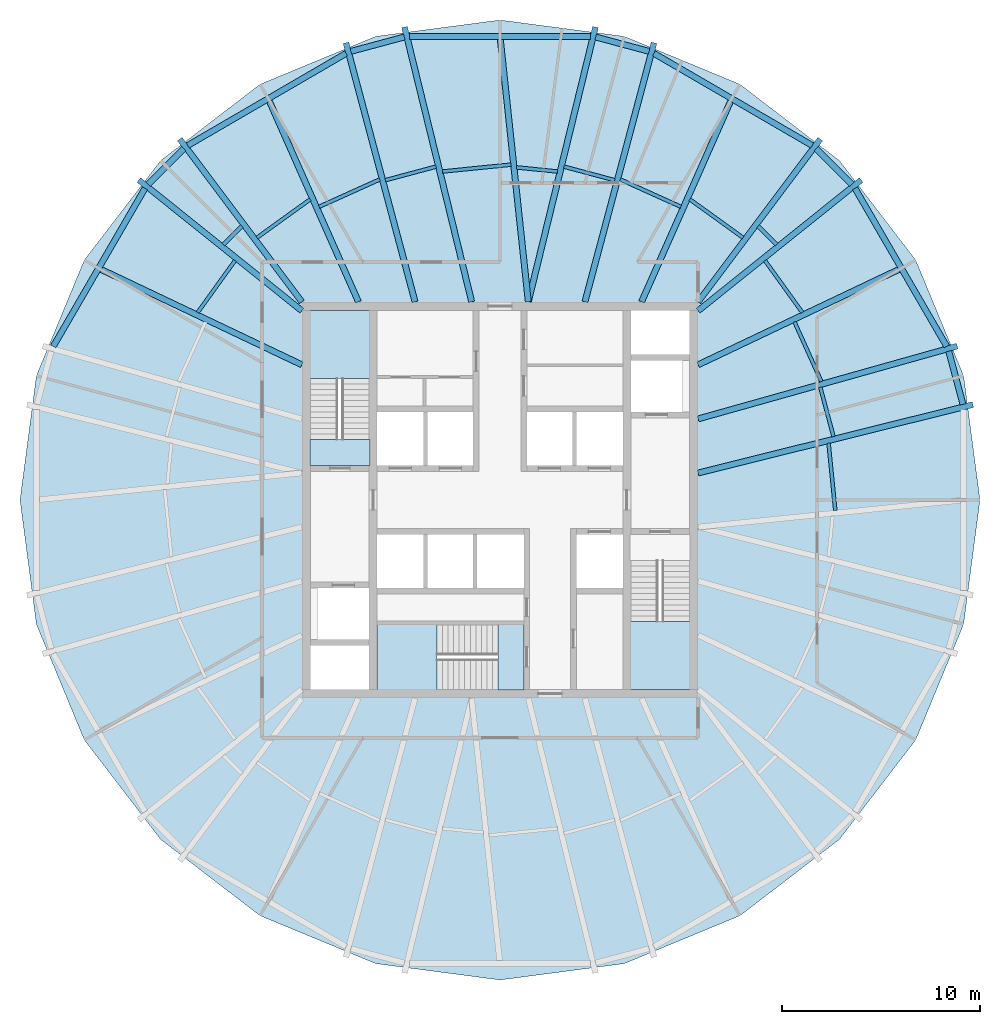
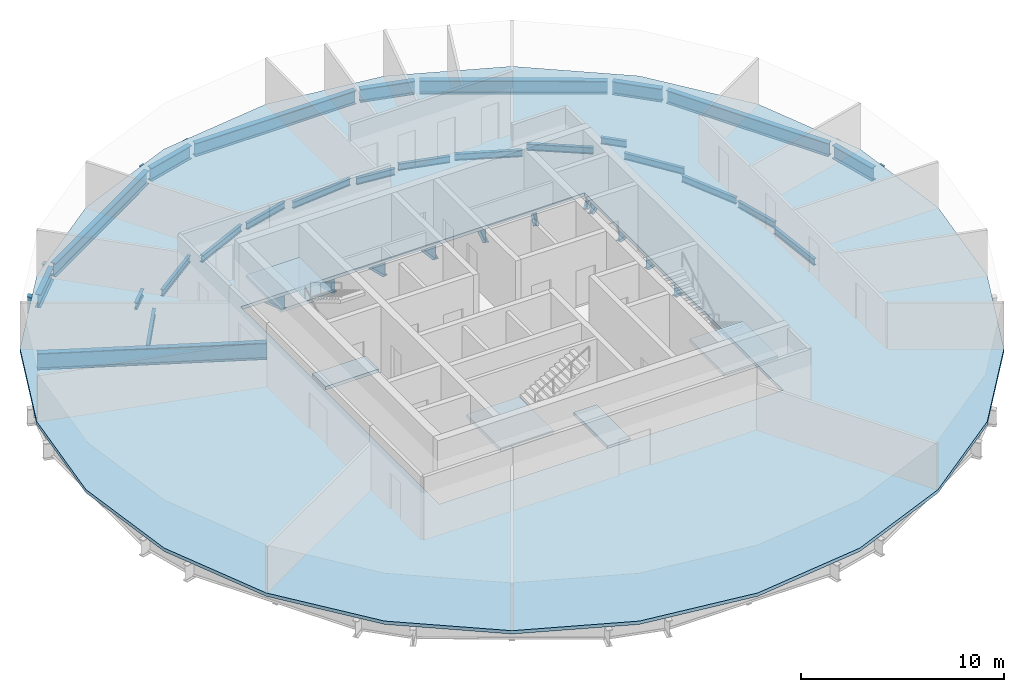
# One storey, part 2 of 6: 40 beams, 6 slabs, 3 elements without a shape of their own.
"""IFC4 building model written with IfcOpenShell, lengths in metres."""

from ifc_helpers import new_model, si_unit, direction, frame, origin, origin_2d, place, context, subcontext, project, spatial, polyline, i_section, outline, extrude, material, layer, layer_set, material_profile, profile_set, type_object, element, aggregate, save


model = new_model("IFC4")

# Units and contexts
model_context = context("Model", 3, precision=1e-05, world=origin(), true_north=direction((0.0, 1.0)))
body_context = subcontext(model_context, "Body", "Model", "MODEL_VIEW")
ifc_project = project(units=[si_unit("LENGTHUNIT", "METRE"), si_unit("AREAUNIT", "SQUARE_METRE"), si_unit("VOLUMEUNIT", "CUBIC_METRE"), si_unit("PLANEANGLEUNIT", "RADIAN"), si_unit("MASSUNIT", "GRAM", prefix="KILO")], contexts=[model_context])

# Site, building, storey
site_placement = place(None, origin())
site = spatial("IfcSite", under=ifc_project, at=site_placement, CompositionType="ELEMENT")
building_placement = place(site_placement, origin())
building = spatial("IfcBuilding", under=site, at=building_placement, Name="Golbaran Civic Tower", CompositionType="ELEMENT")
storey_placement = place(building_placement, frame((0.0, 0.0, 163.0)))
storey = spatial("IfcBuildingStorey", under=building, at=storey_placement, Name="L39", CompositionType="ELEMENT", Elevation=163.0)

# Beams
ifc_material_1 = material(Name="Steel S355", Category="steel")
ifc_material_profile_1 = material_profile(ifc_material_1, i_section(OverallWidth=0.300048828125, OverallDepth=0.800048828125, WebThickness=0.017578125, FlangeThickness=0.032958984375, FilletRadius=0.030029296875, at=origin_2d()), Name="HEB 800")
ifc_profile_set_1 = profile_set([ifc_material_profile_1], Name="Steel S355")
beam_type_1 = type_object("IfcBeamType", Name="EDGE BEAM HEB 800", PredefinedType="BEAM", material=ifc_profile_set_1)
beam_1_placement = place(storey_placement, frame((23.36328125, 4.823974609375, -0.60009765625), z_axis=(-0.258902839264, 0.965903369815, 0.0), x_axis=(-0.965903369815, -0.258902839264, 0.0)))
element("IfcBeam", 1, at=beam_1_placement, inside=storey, type_object=beam_type_1, Name="Edge beam 11.47 L39", PredefinedType="BEAM", context=body_context, shape_type="SweptSolid", body=[
    extrude(i_section(OverallWidth=0.300048828125, OverallDepth=0.800048828125, WebThickness=0.017578125, FlangeThickness=0.032958984375, FilletRadius=0.030029296875, at=origin_2d()), origin(), (0.0, 0.0, 1.0), 2.78076171875),
])
beam_2_placement = place(storey_placement, frame((22.542236328125, 7.751708984375, -0.60009765625), z_axis=(-0.501920919178, 0.864913516423, 0.0), x_axis=(-0.864913516423, -0.501920919178, 0.0)))
element("IfcBeam", 2, at=beam_2_placement, inside=storey, type_object=beam_type_1, Name="Edge beam 18.53 L39", PredefinedType="BEAM", context=body_context, shape_type="SweptSolid", body=[
    extrude(i_section(OverallWidth=0.300048828125, OverallDepth=0.800048828125, WebThickness=0.017578125, FlangeThickness=0.032958984375, FilletRadius=0.030029296875, at=origin_2d()), origin(), (0.0, 0.0, 1.0), 9.222412109375),
])
beam_3_placement = place(storey_placement, frame((17.7548828125, 15.9345703125, -0.60009765625), z_axis=(-0.706625789053, 0.70758744636, 0.0), x_axis=(-0.70758744636, -0.706625789053, 0.0)))
element("IfcBeam", 3, at=beam_3_placement, inside=storey, type_object=beam_type_1, Name="Edge beam 41.47 L39", PredefinedType="BEAM", context=body_context, shape_type="SweptSolid", body=[
    extrude(i_section(OverallWidth=0.300048828125, OverallDepth=0.800048828125, WebThickness=0.017578125, FlangeThickness=0.032958984375, FilletRadius=0.030029296875, at=origin_2d()), origin(), (0.0, 0.0, 1.0), 2.538818359375),
])
beam_4_placement = place(storey_placement, frame((15.755126953125, 17.889892578125, -0.60009765625), z_axis=(-0.864394259944, 0.50281464117, 0.0), x_axis=(-0.50281464117, -0.864394259944, 0.0)))
element("IfcBeam", 4, at=beam_4_placement, inside=storey, type_object=beam_type_1, Name="Edge beam 48.53 L39", PredefinedType="BEAM", context=body_context, shape_type="SweptSolid", body=[
    extrude(i_section(OverallWidth=0.300048828125, OverallDepth=0.800048828125, WebThickness=0.017578125, FlangeThickness=0.032958984375, FilletRadius=0.030029296875, at=origin_2d()), origin(), (0.0, 0.0, 1.0), 9.242919921875),
])
beam_5_placement = place(storey_placement, frame((7.5234375, 22.638671875, -0.60009765625), z_axis=(-0.965792082817, 0.259317667675, 0.0), x_axis=(-0.259317667675, -0.965792082817, 0.0)))
element("IfcBeam", 5, at=beam_5_placement, inside=storey, type_object=beam_type_1, Name="Edge beam 71.47 L39", PredefinedType="BEAM", context=body_context, shape_type="SweptSolid", body=[
    extrude(i_section(OverallWidth=0.300048828125, OverallDepth=0.800048828125, WebThickness=0.017578125, FlangeThickness=0.032958984375, FilletRadius=0.030029296875, at=origin_2d()), origin(), (0.0, 0.0, 1.0), 2.79052734375),
])
beam_6_placement = place(storey_placement, frame((4.569091796875, 23.39599609375, -0.60009765625), z_axis=(-1.0, 0.0, 0.0), x_axis=(0.0, -1.0, 0.0)))
element("IfcBeam", 6, at=beam_6_placement, inside=storey, type_object=beam_type_1, Name="Edge beam 78.53 L39", PredefinedType="BEAM", context=body_context, shape_type="SweptSolid", body=[
    extrude(i_section(OverallWidth=0.300048828125, OverallDepth=0.800048828125, WebThickness=0.017578125, FlangeThickness=0.032958984375, FilletRadius=0.030029296875, at=origin_2d()), origin(), (0.0, 0.0, 1.0), 9.13818359375),
])
beam_7_placement = place(storey_placement, frame((-4.828369140625, 23.3623046875, -0.60009765625), z_axis=(-0.965792082817, -0.259317667675, 0.0), x_axis=(0.259317667675, -0.965792082817, 0.0)))
element("IfcBeam", 7, at=beam_7_placement, inside=storey, type_object=beam_type_1, Name="Edge beam 101.47 L39", PredefinedType="BEAM", context=body_context, shape_type="SweptSolid", body=[
    extrude(i_section(OverallWidth=0.300048828125, OverallDepth=0.800048828125, WebThickness=0.017578125, FlangeThickness=0.032958984375, FilletRadius=0.030029296875, at=origin_2d()), origin(), (0.0, 0.0, 1.0), 2.79052734375),
])
beam_8_placement = place(storey_placement, frame((-7.765625, 22.537353515625, -0.60009765625), z_axis=(-0.864394259944, -0.50281464117, 0.0), x_axis=(0.50281464117, -0.864394259944, 0.0)))
element("IfcBeam", 8, at=beam_8_placement, inside=storey, type_object=beam_type_1, Name="Edge beam 108.53 L39", PredefinedType="BEAM", context=body_context, shape_type="SweptSolid", body=[
    extrude(i_section(OverallWidth=0.300048828125, OverallDepth=0.800048828125, WebThickness=0.017578125, FlangeThickness=0.032958984375, FilletRadius=0.030029296875, at=origin_2d()), origin(), (0.0, 0.0, 1.0), 9.242919921875),
])
beam_9_placement = place(storey_placement, frame((-15.9609375, 17.73095703125, -0.60009765625), z_axis=(-0.706625789053, -0.70758744636, 0.0), x_axis=(0.70758744636, -0.706625789053, 0.0)))
element("IfcBeam", 9, at=beam_9_placement, inside=storey, type_object=beam_type_1, Name="Edge beam 131.47 L39", PredefinedType="BEAM", context=body_context, shape_type="SweptSolid", body=[
    extrude(i_section(OverallWidth=0.300048828125, OverallDepth=0.800048828125, WebThickness=0.017578125, FlangeThickness=0.032958984375, FilletRadius=0.030029296875, at=origin_2d()), origin(), (0.0, 0.0, 1.0), 2.538818359375),
])
beam_10_placement = place(storey_placement, frame((-17.913330078125, 15.728271484375, -0.60009765625), z_axis=(-0.501920919178, -0.864913516423, 0.0), x_axis=(0.864913516423, -0.501920919178, 0.0)))
element("IfcBeam", 10, at=beam_10_placement, inside=storey, type_object=beam_type_1, Name="Edge beam 138.53 L39", PredefinedType="BEAM", context=body_context, shape_type="SweptSolid", body=[
    extrude(i_section(OverallWidth=0.300048828125, OverallDepth=0.800048828125, WebThickness=0.017578125, FlangeThickness=0.032958984375, FilletRadius=0.030029296875, at=origin_2d()), origin(), (0.0, 0.0, 1.0), 9.222412109375),
])
ifc_material_profile_2 = material_profile(ifc_material_1, i_section(OverallWidth=0.179931640625, OverallDepth=0.39990234375, WebThickness=0.008544921875, FlangeThickness=0.013427734375, FilletRadius=0.02099609375, at=origin_2d()), Name="IPE 400")
ifc_profile_set_2 = profile_set([ifc_material_profile_2], Name="Steel S355")
beam_type_2 = type_object("IfcBeamType", Name="FLOOR INFILL BEAM IPE 400", PredefinedType="BEAM", material=ifc_profile_set_2)
beam_11_placement = place(storey_placement, frame((16.919921875, -0.52880859375, -0.39990234375), z_axis=(-0.099914423498, 0.994996034151, 0.0), x_axis=(-0.994996034151, -0.099914423498, 0.0)))
element("IfcBeam", 11, at=beam_11_placement, inside=storey, type_object=beam_type_2, Name="Infill beam 5.73 L39", PredefinedType="BEAM", context=body_context, shape_type="SweptSolid", body=[
    extrude(i_section(OverallWidth=0.179931640625, OverallDepth=0.39990234375, WebThickness=0.008544921875, FlangeThickness=0.013427734375, FilletRadius=0.02099609375, at=origin_2d()), origin(), (0.0, 0.0, 1.0), 3.41357421875),
])
beam_12_placement = place(storey_placement, frame((16.829833984375, 3.197998046875, -0.39990234375), z_axis=(-0.258805482588, 0.965929460252, 0.0), x_axis=(-0.965929460252, -0.258805482588, 0.0)))
element("IfcBeam", 12, at=beam_12_placement, inside=storey, type_object=beam_type_2, Name="Infill beam 15.00 L39", PredefinedType="BEAM", context=body_context, shape_type="SweptSolid", body=[
    extrude(i_section(OverallWidth=0.179931640625, OverallDepth=0.39990234375, WebThickness=0.008544921875, FlangeThickness=0.013427734375, FilletRadius=0.02099609375, at=origin_2d()), origin(), (0.0, 0.0, 1.0), 2.5791015625),
])
beam_13_placement = place(storey_placement, frame((16.21728515625, 5.974609375, -0.39990234375), z_axis=(-0.410939176761, 0.91166276276, 0.0), x_axis=(-0.91166276276, -0.410939176761, 0.0)))
element("IfcBeam", 13, at=beam_13_placement, inside=storey, type_object=beam_type_2, Name="Infill beam 24.27 L39", PredefinedType="BEAM", context=body_context, shape_type="SweptSolid", body=[
    extrude(i_section(OverallWidth=0.179931640625, OverallDepth=0.39990234375, WebThickness=0.008544921875, FlangeThickness=0.013427734375, FilletRadius=0.02099609375, at=origin_2d()), origin(), (0.0, 0.0, 1.0), 3.3037109375),
])
beam_14_placement = place(storey_placement, frame((15.25537109375, 9.462646484375, -0.39990234375), z_axis=(-0.584051815439, 0.811716377119, 0.0), x_axis=(-0.811716377119, -0.584051815439, 0.0)))
element("IfcBeam", 14, at=beam_14_placement, inside=storey, type_object=beam_type_2, Name="Infill beam 35.73 L39", PredefinedType="BEAM", context=body_context, shape_type="SweptSolid", body=[
    extrude(i_section(OverallWidth=0.179931640625, OverallDepth=0.39990234375, WebThickness=0.008544921875, FlangeThickness=0.013427734375, FilletRadius=0.02099609375, at=origin_2d()), origin(), (0.0, 0.0, 1.0), 3.22998046875),
])
beam_15_placement = place(storey_placement, frame((13.95654296875, 12.888916015625, -0.39990234375), z_axis=(-0.707199607806, 0.70701394238, 0.0), x_axis=(-0.70701394238, -0.707199607806, 0.0)))
element("IfcBeam", 15, at=beam_15_placement, inside=storey, type_object=beam_type_2, Name="Infill beam 45.00 L39", PredefinedType="BEAM", context=body_context, shape_type="SweptSolid", body=[
    extrude(i_section(OverallWidth=0.179931640625, OverallDepth=0.39990234375, WebThickness=0.008544921875, FlangeThickness=0.013427734375, FilletRadius=0.02099609375, at=origin_2d()), origin(), (0.0, 0.0, 1.0), 1.31494140625),
])
beam_16_placement = place(storey_placement, frame((12.264892578125, 13.236328125, -0.39990234375), z_axis=(-0.8116994487, 0.58407534187, 0.0), x_axis=(-0.58407534187, -0.8116994487, 0.0)))
element("IfcBeam", 16, at=beam_16_placement, inside=storey, type_object=beam_type_2, Name="Infill beam 54.27 L39", PredefinedType="BEAM", context=body_context, shape_type="SweptSolid", body=[
    extrude(i_section(OverallWidth=0.179931640625, OverallDepth=0.39990234375, WebThickness=0.008544921875, FlangeThickness=0.013427734375, FilletRadius=0.02099609375, at=origin_2d()), origin(), (0.0, 0.0, 1.0), 3.308837890625),
])
beam_17_placement = place(storey_placement, frame((9.12890625, 14.795654296875, -0.39990234375), z_axis=(-0.911639648441, 0.410990451702, 0.0), x_axis=(-0.410990451702, -0.911639648441, 0.0)))
element("IfcBeam", 17, at=beam_17_placement, inside=storey, type_object=beam_type_2, Name="Infill beam 65.73 L39", PredefinedType="BEAM", context=body_context, shape_type="SweptSolid", body=[
    extrude(i_section(OverallWidth=0.179931640625, OverallDepth=0.39990234375, WebThickness=0.008544921875, FlangeThickness=0.013427734375, FilletRadius=0.02099609375, at=origin_2d()), origin(), (0.0, 0.0, 1.0), 3.357421875),
])
beam_18_placement = place(storey_placement, frame((5.788330078125, 16.1357421875, -0.39990234375), z_axis=(-0.965928304125, 0.258809797517, 0.0), x_axis=(-0.258809797517, -0.965928304125, 0.0)))
element("IfcBeam", 18, at=beam_18_placement, inside=storey, type_object=beam_type_2, Name="Infill beam 75.00 L39", PredefinedType="BEAM", context=body_context, shape_type="SweptSolid", body=[
    extrude(i_section(OverallWidth=0.179931640625, OverallDepth=0.39990234375, WebThickness=0.008544921875, FlangeThickness=0.013427734375, FilletRadius=0.02099609375, at=origin_2d()), origin(), (0.0, 0.0, 1.0), 2.64892578125),
])
beam_19_placement = place(storey_placement, frame((2.90185546875, 16.574951171875, -0.39990234375), z_axis=(-0.994992852472, 0.09994610312, 0.0), x_axis=(-0.09994610312, -0.994992852472, 0.0)))
element("IfcBeam", 19, at=beam_19_placement, inside=storey, type_object=beam_type_2, Name="Infill beam 84.27 L39", PredefinedType="BEAM", context=body_context, shape_type="SweptSolid", body=[
    extrude(i_section(OverallWidth=0.179931640625, OverallDepth=0.39990234375, WebThickness=0.008544921875, FlangeThickness=0.013427734375, FilletRadius=0.02099609375, at=origin_2d()), origin(), (0.0, 0.0, 1.0), 2.076416015625),
])
beam_20_placement = place(storey_placement, frame((0.5595703125, 16.922607421875, -0.39990234375), z_axis=(-0.994994016941, -0.099934509813, 0.0), x_axis=(0.099934509813, -0.994994016941, 0.0)))
element("IfcBeam", 20, at=beam_20_placement, inside=storey, type_object=beam_type_2, Name="Infill beam 95.73 L39", PredefinedType="BEAM", context=body_context, shape_type="SweptSolid", body=[
    extrude(i_section(OverallWidth=0.179931640625, OverallDepth=0.39990234375, WebThickness=0.008544921875, FlangeThickness=0.013427734375, FilletRadius=0.02099609375, at=origin_2d()), origin(), (0.0, 0.0, 1.0), 3.478759765625),
])
beam_21_placement = place(storey_placement, frame((-3.229736328125, 16.8212890625, -0.39990234375), z_axis=(-0.965928304125, -0.258809797517, 0.0), x_axis=(0.258809797517, -0.965928304125, 0.0)))
element("IfcBeam", 21, at=beam_21_placement, inside=storey, type_object=beam_type_2, Name="Infill beam 105.00 L39", PredefinedType="BEAM", context=body_context, shape_type="SweptSolid", body=[
    extrude(i_section(OverallWidth=0.179931640625, OverallDepth=0.39990234375, WebThickness=0.008544921875, FlangeThickness=0.013427734375, FilletRadius=0.02099609375, at=origin_2d()), origin(), (0.0, 0.0, 1.0), 2.64892578125),
])
beam_22_placement = place(storey_placement, frame((-6.068115234375, 16.175537109375, -0.39990234375), z_axis=(-0.911639648441, -0.410990451702, 0.0), x_axis=(0.410990451702, -0.911639648441, 0.0)))
element("IfcBeam", 22, at=beam_22_placement, inside=storey, type_object=beam_type_2, Name="Infill beam 114.27 L39", PredefinedType="BEAM", context=body_context, shape_type="SweptSolid", body=[
    extrude(i_section(OverallWidth=0.179931640625, OverallDepth=0.39990234375, WebThickness=0.008544921875, FlangeThickness=0.013427734375, FilletRadius=0.02099609375, at=origin_2d()), origin(), (0.0, 0.0, 1.0), 3.357421875),
])
beam_23_placement = place(storey_placement, frame((-9.5791015625, 15.1689453125, -0.39990234375), z_axis=(-0.8116994487, -0.58407534187, 0.0), x_axis=(0.58407534187, -0.8116994487, 0.0)))
element("IfcBeam", 23, at=beam_23_placement, inside=storey, type_object=beam_type_2, Name="Infill beam 125.73 L39", PredefinedType="BEAM", context=body_context, shape_type="SweptSolid", body=[
    extrude(i_section(OverallWidth=0.179931640625, OverallDepth=0.39990234375, WebThickness=0.008544921875, FlangeThickness=0.013427734375, FilletRadius=0.02099609375, at=origin_2d()), origin(), (0.0, 0.0, 1.0), 3.308837890625),
])
beam_24_placement = place(storey_placement, frame((-13.026611328125, 13.818603515625, -0.39990234375), z_axis=(-0.707199607806, -0.70701394238, 0.0), x_axis=(0.70701394238, -0.707199607806, 0.0)))
element("IfcBeam", 24, at=beam_24_placement, inside=storey, type_object=beam_type_2, Name="Infill beam 135.00 L39", PredefinedType="BEAM", context=body_context, shape_type="SweptSolid", body=[
    extrude(i_section(OverallWidth=0.179931640625, OverallDepth=0.39990234375, WebThickness=0.008544921875, FlangeThickness=0.013427734375, FilletRadius=0.02099609375, at=origin_2d()), origin(), (0.0, 0.0, 1.0), 1.31494140625),
])
beam_25_placement = place(storey_placement, frame((-13.368896484375, 12.08447265625, -0.39990234375), z_axis=(-0.584051815439, -0.811716377119, 0.0), x_axis=(0.811716377119, -0.584051815439, 0.0)))
element("IfcBeam", 25, at=beam_25_placement, inside=storey, type_object=beam_type_2, Name="Infill beam 144.27 L39", PredefinedType="BEAM", context=body_context, shape_type="SweptSolid", body=[
    extrude(i_section(OverallWidth=0.179931640625, OverallDepth=0.39990234375, WebThickness=0.008544921875, FlangeThickness=0.013427734375, FilletRadius=0.02099609375, at=origin_2d()), origin(), (0.0, 0.0, 1.0), 3.22998046875),
])
ifc_material_profile_3 = material_profile(ifc_material_1, i_section(OverallWidth=0.300048828125, OverallDepth=1.0, WebThickness=0.01904296875, FlangeThickness=0.035888671875, FilletRadius=0.030029296875, at=origin_2d()), Name="HEB 1000")
ifc_profile_set_3 = profile_set([ifc_material_profile_3], Name="Steel S355")
beam_type_3 = type_object("IfcBeamType", Name="RADIAL FLOOR BEAM HEB 1000", PredefinedType="BEAM", material=ifc_profile_set_3)
beam_26_placement = place(storey_placement, frame((10.0, 1.3642578125, -0.7099609375), z_axis=(0.970401255901, 0.241498245429, 0.0), x_axis=(-0.241498245429, 0.970401255901, 0.0)))
element("IfcBeam", 26, at=beam_26_placement, inside=storey, type_object=beam_type_3, Name="Radial beam 11.47 L39", PredefinedType="BEAM", context=body_context, shape_type="SweptSolid", body=[
    extrude(i_section(OverallWidth=0.300048828125, OverallDepth=1.0, WebThickness=0.01904296875, FlangeThickness=0.035888671875, FilletRadius=0.030029296875, at=origin_2d()), origin(), (0.0, 0.0, 1.0), 14.28857421875),
])
beam_27_placement = place(storey_placement, frame((10.0, 4.0927734375, -0.7099609375), z_axis=(0.962724846048, 0.270482662664, 0.0), x_axis=(-0.270482662664, 0.962724846048, 0.0)))
element("IfcBeam", 27, at=beam_27_placement, inside=storey, type_object=beam_type_3, Name="Radial beam 18.53 L39", PredefinedType="BEAM", context=body_context, shape_type="SweptSolid", body=[
    extrude(i_section(OverallWidth=0.300048828125, OverallDepth=1.0, WebThickness=0.01904296875, FlangeThickness=0.035888671875, FilletRadius=0.030029296875, at=origin_2d()), origin(), (0.0, 0.0, 1.0), 13.58056640625),
])
beam_28_placement = place(storey_placement, frame((10.0, 9.550048828125, -0.7099609375), z_axis=(0.780181596802, 0.625553096077, 0.0), x_axis=(-0.625553096077, 0.780181596802, 0.0)))
element("IfcBeam", 28, at=beam_28_placement, inside=storey, type_object=beam_type_3, Name="Radial beam 41.47 L39", PredefinedType="BEAM", context=body_context, shape_type="SweptSolid", body=[
    extrude(i_section(OverallWidth=0.300048828125, OverallDepth=1.0, WebThickness=0.01904296875, FlangeThickness=0.035888671875, FilletRadius=0.030029296875, at=origin_2d()), origin(), (0.0, 0.0, 1.0), 10.543701171875),
])
beam_29_placement = place(storey_placement, frame((10.0, 10.0, -0.7099609375), z_axis=(0.600015217841, 0.799988586393, 0.0), x_axis=(-0.799988586393, 0.600015217841, 0.0)))
element("IfcBeam", 29, at=beam_29_placement, inside=storey, type_object=beam_type_3, Name="Radial beam 48.53 L39", PredefinedType="BEAM", context=body_context, shape_type="SweptSolid", body=[
    extrude(i_section(OverallWidth=0.300048828125, OverallDepth=1.0, WebThickness=0.01904296875, FlangeThickness=0.035888671875, FilletRadius=0.030029296875, at=origin_2d()), origin(), (0.0, 0.0, 1.0), 10.267578125),
])
beam_30_placement = place(storey_placement, frame((4.28564453125, 10.0, -0.7099609375), z_axis=(0.257816521023, 0.966193894354, 0.0), x_axis=(-0.966193894354, 0.257816521023, 0.0)))
element("IfcBeam", 30, at=beam_30_placement, inside=storey, type_object=beam_type_3, Name="Radial beam 71.47 L39", PredefinedType="BEAM", context=body_context, shape_type="SweptSolid", body=[
    extrude(i_section(OverallWidth=0.300048828125, OverallDepth=1.0, WebThickness=0.01904296875, FlangeThickness=0.035888671875, FilletRadius=0.030029296875, at=origin_2d()), origin(), (0.0, 0.0, 1.0), 13.529052734375),
])
for number, where, z_axis, x_axis, name in (
    (31, (1.428466796875, 10.0, -0.7099609375), (0.237445199746, 0.971400935308, 0.0), (-0.971400935308, 0.237445199746, 0.0), "Radial beam 78.53 L39"),
    (32, (-1.428466796875, 10.0, -0.7099609375), (-0.237445199746, 0.971400935308, 0.0), (-0.971400935308, -0.237445199746, 0.0), "Radial beam 101.47 L39"),
):
    element("IfcBeam", number, at=place(storey_placement, frame(where, z_axis=z_axis, x_axis=x_axis)), inside=storey, type_object=beam_type_3, Name=name, PredefinedType="BEAM", context=body_context, shape_type="SweptSolid", body=[
        extrude(i_section(OverallWidth=0.300048828125, OverallDepth=1.0, WebThickness=0.01904296875, FlangeThickness=0.035888671875, FilletRadius=0.030029296875, at=origin_2d()), origin(), (0.0, 0.0, 1.0), 14.2734375),
    ])
beam_31_placement = place(storey_placement, frame((-4.28564453125, 10.0, -0.7099609375), z_axis=(-0.257816521023, 0.966193894354, 0.0), x_axis=(-0.966193894354, -0.257816521023, 0.0)))
element("IfcBeam", 33, at=beam_31_placement, inside=storey, type_object=beam_type_3, Name="Radial beam 108.53 L39", PredefinedType="BEAM", context=body_context, shape_type="SweptSolid", body=[
    extrude(i_section(OverallWidth=0.300048828125, OverallDepth=1.0, WebThickness=0.01904296875, FlangeThickness=0.035888671875, FilletRadius=0.030029296875, at=origin_2d()), origin(), (0.0, 0.0, 1.0), 13.529052734375),
])
beam_32_placement = place(storey_placement, frame((-10.0, 10.0, -0.7099609375), z_axis=(-0.600015217841, 0.799988586393, 0.0), x_axis=(-0.799988586393, -0.600015217841, 0.0)))
element("IfcBeam", 34, at=beam_32_placement, inside=storey, type_object=beam_type_3, Name="Radial beam 131.47 L39", PredefinedType="BEAM", context=body_context, shape_type="SweptSolid", body=[
    extrude(i_section(OverallWidth=0.300048828125, OverallDepth=1.0, WebThickness=0.01904296875, FlangeThickness=0.035888671875, FilletRadius=0.030029296875, at=origin_2d()), origin(), (0.0, 0.0, 1.0), 10.267578125),
])
beam_33_placement = place(storey_placement, frame((-10.0, 9.550048828125, -0.7099609375), z_axis=(-0.780181596802, 0.625553096077, 0.0), x_axis=(-0.625553096077, -0.780181596802, 0.0)))
element("IfcBeam", 35, at=beam_33_placement, inside=storey, type_object=beam_type_3, Name="Radial beam 138.53 L39", PredefinedType="BEAM", context=body_context, shape_type="SweptSolid", body=[
    extrude(i_section(OverallWidth=0.300048828125, OverallDepth=1.0, WebThickness=0.01904296875, FlangeThickness=0.035888671875, FilletRadius=0.030029296875, at=origin_2d()), origin(), (0.0, 0.0, 1.0), 10.543701171875),
])
ifc_material_profile_4 = material_profile(ifc_material_1, i_section(OverallWidth=0.300048828125, OverallDepth=1.0, WebThickness=0.01904296875, FlangeThickness=0.035888671875, FilletRadius=0.030029296875, at=origin_2d()), Name="HEB 1000")
ifc_profile_set_4 = profile_set([ifc_material_profile_4], Name="Steel S355")
beam_type_4 = type_object("IfcBeamType", Name="SECONDARY FLOOR BEAM HEB 1000", PredefinedType="BEAM", material=ifc_profile_set_4)
beam_34_placement = place(storey_placement, frame((10.0, 6.821533203125, -0.7099609375), z_axis=(0.903227076316, 0.429162962765, 0.0), x_axis=(-0.429162962765, 0.903227076316, 0.0)))
element("IfcBeam", 36, at=beam_34_placement, inside=storey, type_object=beam_type_4, Name="Secondary beam 30.00 L39", PredefinedType="BEAM", context=body_context, shape_type="SweptSolid", body=[
    extrude(i_section(OverallWidth=0.300048828125, OverallDepth=1.0, WebThickness=0.01904296875, FlangeThickness=0.035888671875, FilletRadius=0.030029296875, at=origin_2d()), origin(), (0.0, 0.0, 1.0), 11.35302734375),
])
beam_35_placement = place(storey_placement, frame((7.142822265625, 10.0, -0.7099609375), z_axis=(0.405639599089, 0.914033104242, 0.0), x_axis=(-0.914033104242, 0.405639599089, 0.0)))
element("IfcBeam", 37, at=beam_35_placement, inside=storey, type_object=beam_type_4, Name="Secondary beam 60.00 L39", PredefinedType="BEAM", context=body_context, shape_type="SweptSolid", body=[
    extrude(i_section(OverallWidth=0.300048828125, OverallDepth=1.0, WebThickness=0.01904296875, FlangeThickness=0.035888671875, FilletRadius=0.030029296875, at=origin_2d()), origin(), (0.0, 0.0, 1.0), 11.217041015625),
])
beam_36_placement = place(storey_placement, frame((1.428466796875, 10.0, -0.7099609375), z_axis=(-0.106032728424, 0.99436264034, 0.0), x_axis=(-0.99436264034, -0.106032728424, 0.0)))
element("IfcBeam", 38, at=beam_36_placement, inside=storey, type_object=beam_type_4, Name="Secondary beam 90.00 L39", PredefinedType="BEAM", context=body_context, shape_type="SweptSolid", body=[
    extrude(i_section(OverallWidth=0.300048828125, OverallDepth=1.0, WebThickness=0.01904296875, FlangeThickness=0.035888671875, FilletRadius=0.030029296875, at=origin_2d()), origin(), (0.0, 0.0, 1.0), 13.471923828125),
])
beam_37_placement = place(storey_placement, frame((-7.142822265625, 10.0, -0.7099609375), z_axis=(-0.405639599089, 0.914033104242, 0.0), x_axis=(-0.914033104242, -0.405639599089, 0.0)))
element("IfcBeam", 39, at=beam_37_placement, inside=storey, type_object=beam_type_4, Name="Secondary beam 120.00 L39", PredefinedType="BEAM", context=body_context, shape_type="SweptSolid", body=[
    extrude(i_section(OverallWidth=0.300048828125, OverallDepth=1.0, WebThickness=0.01904296875, FlangeThickness=0.035888671875, FilletRadius=0.030029296875, at=origin_2d()), origin(), (0.0, 0.0, 1.0), 11.217041015625),
])
beam_38_placement = place(storey_placement, frame((-10.0, 6.821533203125, -0.7099609375), z_axis=(-0.903227076316, 0.429162962765, 0.0), x_axis=(-0.429162962765, -0.903227076316, 0.0)))
element("IfcBeam", 40, at=beam_38_placement, inside=storey, type_object=beam_type_4, Name="Secondary beam 150.00 L39", PredefinedType="BEAM", context=body_context, shape_type="SweptSolid", body=[
    extrude(i_section(OverallWidth=0.300048828125, OverallDepth=1.0, WebThickness=0.01904296875, FlangeThickness=0.035888671875, FilletRadius=0.030029296875, at=origin_2d()), origin(), (0.0, 0.0, 1.0), 11.35302734375),
])

# Slab
ifc_material_2 = material(Name="Concrete LC30/33 lightweight on steel deck", Category="concrete")
ifc_layer_1 = layer(ifc_material_2, 0.199951171875, Name="Concrete LC30/33 lightweight on steel deck")
ifc_layer_set_1 = layer_set([ifc_layer_1], Name="Concrete LC30/33 lightweight on steel deck")
slab_type_1 = type_object("IfcSlabType", Name="COMPOSITE FLOOR SLAB 200", PredefinedType="FLOOR", material=ifc_layer_set_1)
slab_1_placement = place(storey_placement, frame((0.0, 0.0, -0.199951171875)))
element("IfcSlab", 41, at=slab_1_placement, inside=storey, type_object=slab_type_1, Name="Floor slab L39", PredefinedType="FLOOR", context=body_context, shape_type="SweptSolid", body=[
    extrude(outline(polyline([(20.976318359375, -12.110595703125), (17.126953125, -17.126953125), (12.110595703125, -20.976318359375), (6.26904296875, -23.39599609375), (0.0, -24.22119140625), (-6.26904296875, -23.39599609375), (-12.110595703125, -20.976318359375), (-17.126953125, -17.126953125), (-20.976318359375, -12.110595703125), (-23.39599609375, -6.26904296875), (-24.22119140625, 0.0), (-23.39599609375, 6.26904296875), (-20.976318359375, 12.110595703125), (-17.126953125, 17.126953125), (-12.110595703125, 20.976318359375), (-6.26904296875, 23.39599609375), (0.0, 24.22119140625), (6.26904296875, 23.39599609375), (12.110595703125, 20.976318359375), (17.126953125, 17.126953125), (20.976318359375, 12.110595703125), (23.39599609375, 6.26904296875), (24.22119140625, 0.0), (23.39599609375, -6.26904296875), (20.976318359375, -12.110595703125)]), holes=[polyline([(-9.77490234375, 9.77490234375), (-9.77490234375, -9.77490234375), (9.77490234375, -9.77490234375), (9.77490234375, 9.77490234375), (-9.77490234375, 9.77490234375)])]), origin(), (0.0, 0.0, 1.0), 0.199951171875),
])

# Stair, slab
ifc_material_3 = material(Name="Concrete C35/45", Category="concrete")
stair_type_1 = type_object("IfcStairType", Name="EXIT STAIR 2950 x 7800, 4000 RISE", PredefinedType="HALF_TURN_STAIR", material=ifc_material_3)
stair_1_placement = place(storey_placement, origin())
stair_1 = element("IfcStair", 42, at=stair_1_placement, inside=storey, type_object=stair_type_1, Name="Stair S1 L39", PredefinedType="HALF_TURN_STAIR")
ifc_layer_2 = layer(ifc_material_3, 0.199951171875, Name="Concrete C35/45")
ifc_layer_set_2 = layer_set([ifc_layer_2], Name="Concrete C35/45")
slab_type_2 = type_object("IfcSlabType", Name="STAIR LANDING 200", PredefinedType="LANDING", material=ifc_layer_set_2)
slab_2_placement = place(storey_placement, frame((0.0, 0.0, 1.800048828125)))
slab_2 = element("IfcSlab", 43, at=slab_2_placement, type_object=slab_type_2, Name="ST29578-40 landing 1", PredefinedType="LANDING", context=body_context, shape_type="SweptSolid", body=[
    extrude(outline(polyline([(-9.60009765625, 6.125), (-9.60009765625, 9.550048828125), (-6.550048828125, 9.550048828125), (-6.550048828125, 6.125), (-9.60009765625, 6.125)])), origin(), (0.0, 0.0, 1.0), 0.199951171875),
])
aggregate(stair_1, [slab_2])

# Slab
slab_3_placement = place(storey_placement, frame((0.0, 0.0, -0.199951171875)))
element("IfcSlab", 44, at=slab_3_placement, inside=storey, type_object=slab_type_2, Name="Stair S1 floor landing L39", PredefinedType="LANDING", context=body_context, shape_type="SweptSolid", body=[
    extrude(outline(polyline([(-9.60009765625, 1.75), (-9.60009765625, 3.054931640625), (-6.550048828125, 3.054931640625), (-6.550048828125, 1.75), (-9.60009765625, 1.75)])), origin(), (0.0, 0.0, 1.0), 0.199951171875),
])

# Stair, slab
stair_2_placement = place(storey_placement, origin())
stair_2 = element("IfcStair", 45, at=stair_2_placement, inside=storey, type_object=stair_type_1, Name="Stair S2 L39", PredefinedType="HALF_TURN_STAIR")
slab_4_placement = place(storey_placement, frame((0.0, 0.0, 1.800048828125)))
slab_4 = element("IfcSlab", 46, at=slab_4_placement, type_object=slab_type_2, Name="ST29578-40 landing 1", PredefinedType="LANDING", context=body_context, shape_type="SweptSolid", body=[
    extrude(outline(polyline([(9.60009765625, -6.125), (9.60009765625, -9.550048828125), (6.550048828125, -9.550048828125), (6.550048828125, -6.125), (9.60009765625, -6.125)])), origin(), (0.0, 0.0, 1.0), 0.199951171875),
])
aggregate(stair_2, [slab_4])

stair_type_2 = type_object("IfcStairType", Name="EXIT STAIR 3250 x 7400, 4000 RISE", PredefinedType="HALF_TURN_STAIR", material=ifc_material_3)
stair_3_placement = place(storey_placement, origin())
stair_3 = element("IfcStair", 47, at=stair_3_placement, inside=storey, type_object=stair_type_2, Name="Stair S3 L39", PredefinedType="HALF_TURN_STAIR")
slab_5_placement = place(storey_placement, frame((0.0, 0.0, 1.800048828125)))
slab_5 = element("IfcSlab", 48, at=slab_5_placement, type_object=slab_type_2, Name="ST32574-40 landing 1", PredefinedType="LANDING", context=body_context, shape_type="SweptSolid", body=[
    extrude(outline(polyline([(-3.175048828125, -9.60009765625), (-6.199951171875, -9.60009765625), (-6.199951171875, -6.25), (-3.175048828125, -6.25), (-3.175048828125, -9.60009765625)])), origin(), (0.0, 0.0, 1.0), 0.199951171875),
])
aggregate(stair_3, [slab_5])

# Slab
slab_6_placement = place(storey_placement, frame((0.0, 0.0, -0.199951171875)))
element("IfcSlab", 49, at=slab_6_placement, inside=storey, type_object=slab_type_2, Name="Stair S3 floor landing L39", PredefinedType="LANDING", context=body_context, shape_type="SweptSolid", body=[
    extrude(outline(polyline([(1.199951171875, -9.60009765625), (-0.10498046875, -9.60009765625), (-0.10498046875, -6.25), (1.199951171875, -6.25), (1.199951171875, -9.60009765625)])), origin(), (0.0, 0.0, 1.0), 0.199951171875),
])

save(model, "model.ifc")
